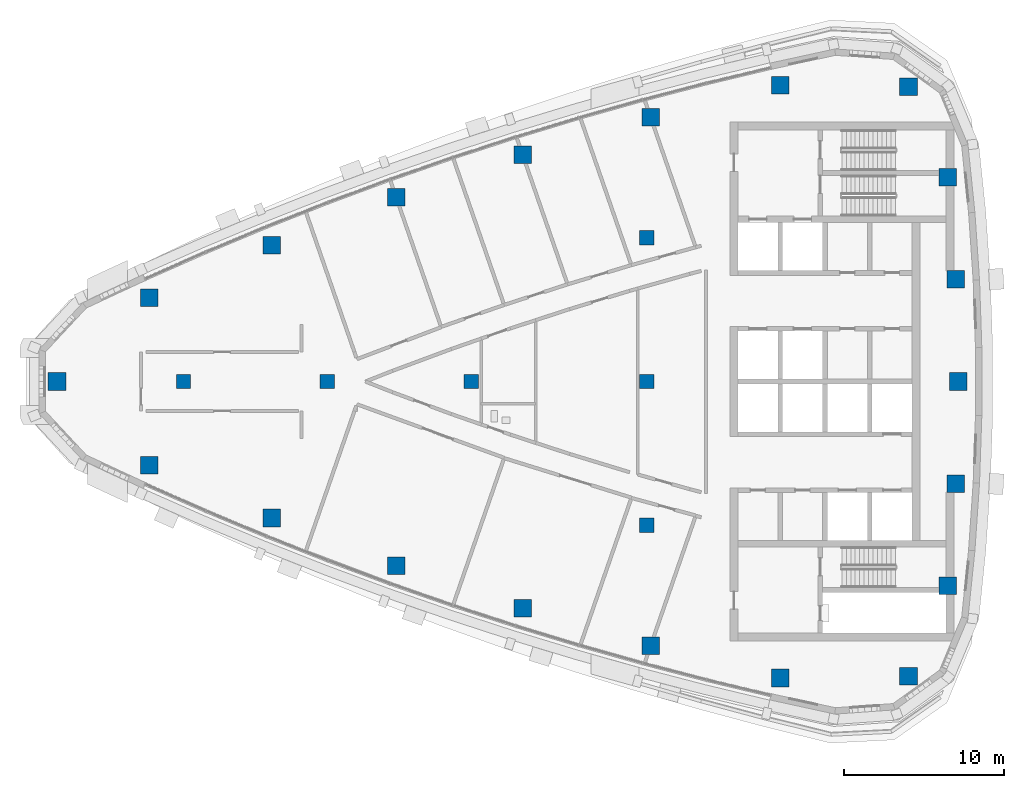
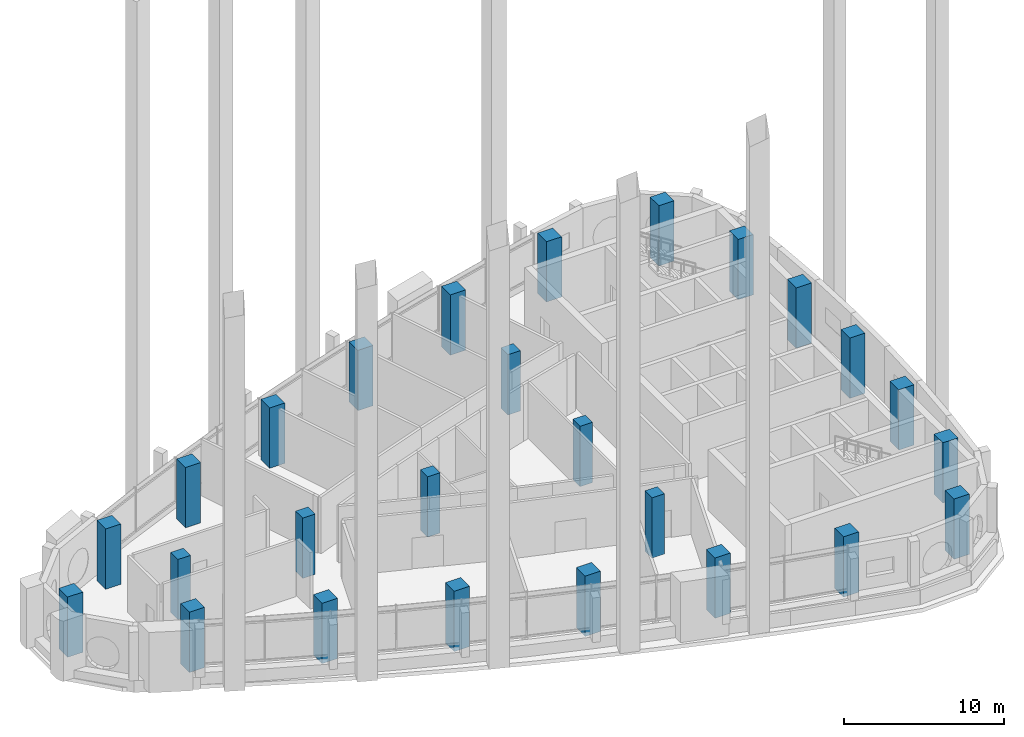
# One storey, part 1 of 15: 26 columns.
"""IFC4 building model written with IfcOpenShell, lengths in metres."""

from ifc_helpers import new_model, si_unit, direction, frame, origin, origin_2d, place, context, subcontext, project, spatial, rectangle, extrude, material, material_profile, profile_set, type_object, element, save


model = new_model("IFC4")

# Units and contexts
model_context = context("Model", 3, precision=1e-05, world=origin(), true_north=direction((0.0, 1.0)))
body_context = subcontext(model_context, "Body", "Model", "MODEL_VIEW")
ifc_project = project(units=[si_unit("LENGTHUNIT", "METRE"), si_unit("AREAUNIT", "SQUARE_METRE"), si_unit("VOLUMEUNIT", "CUBIC_METRE"), si_unit("PLANEANGLEUNIT", "RADIAN"), si_unit("MASSUNIT", "GRAM", prefix="KILO")], contexts=[model_context])

# Site, building, storey
site_placement = place(None, origin())
site = spatial("IfcSite", under=ifc_project, at=site_placement, CompositionType="ELEMENT")
building_placement = place(site_placement, origin())
building = spatial("IfcBuilding", under=site, at=building_placement, Name="Ostrand Prow Hotel Tower", CompositionType="ELEMENT")
storey_placement = place(building_placement, frame((0.0, 0.0, 263.300048828125)))
storey = spatial("IfcBuildingStorey", under=building, at=storey_placement, Name="L66", CompositionType="ELEMENT", Elevation=263.300048828125)

# Columns
ifc_material_1 = material(Name="Concrete C50/60", Category="concrete")
ifc_material_profile_1 = material_profile(ifc_material_1, rectangle(XDim=0.89990234375, YDim=0.89990234375, at=origin_2d()), Name="RC 900x900")
ifc_profile_set_1 = profile_set([ifc_material_profile_1], Name="Concrete C50/60")
column_type_1 = type_object("IfcColumnType", Name="Interior column 900x900 C50/60", PredefinedType="COLUMN", material=ifc_profile_set_1)
for number, where, z_axis, x_axis, name in (
    (1, (16.0, 0.0, 0.0), (0.0, 0.0, 1.0), (1.0, 0.0, 0.0), "Interior column 16C0"),
    (2, (25.0, 0.0, 0.0), (0.0, 0.0, 1.0), (1.0, 0.0, 0.0), "Interior column 25C0"),
    (3, (34.0, 0.0, 0.0), (0.0, 0.0, 1.0), (1.0, 0.0, 0.0), "Interior column 34C0"),
    (4, (45.0, -9.0, 0.0), (0.0, 0.0, 1.0), (1.0, 0.0, 0.0), "Interior column 45S9"),
    (5, (45.0, 0.0, 0.0), (0.0, 0.0, 1.0), (1.0, 0.0, 0.0), "Interior column 45C0"),
    (6, (45.0, 9.0, 0.0), (0.0, 0.0, 1.0), (1.0, 0.0, 0.0), "Interior column 45N9"),
):
    element("IfcColumn", number, at=place(storey_placement, frame(where, z_axis=z_axis, x_axis=x_axis)), inside=storey, type_object=column_type_1, Name=name, PredefinedType="COLUMN", context=body_context, shape_type="SweptSolid", body=[
        extrude(rectangle(XDim=0.89990234375, YDim=0.89990234375, at=origin_2d()), origin(), (0.0, 0.0, 1.0), 4.599853515625),
    ])
ifc_material_2 = material(Name="Concrete C50/60", Category="concrete")
ifc_material_profile_2 = material_profile(ifc_material_2, rectangle(XDim=1.10009765625, YDim=1.10009765625, at=origin_2d()), Name="RC 1100x1100")
ifc_profile_set_2 = profile_set([ifc_material_profile_2], Name="Concrete C50/60")
column_type_2 = type_object("IfcColumnType", Name="Stone-faced mega column 1100x1100 C50/60", PredefinedType="COLUMN", material=ifc_profile_set_2)
for number, where, z_axis, x_axis, name in (
    (7, (8.082763671875, 0.0, 0.0), (0.0, 0.0, 1.0), (1.0, 0.0, 0.0), "Mega column P"),
    (8, (13.846435546875, -5.23681640625, 0.0), (0.0, 0.0, 1.0), (1.0, 0.0, 0.0), "Mega column S1"),
    (9, (21.51416015625, -8.5400390625, 0.0), (0.0, 0.0, 1.0), (1.0, 0.0, 0.0), "Mega column S2"),
    (10, (29.31005859375, -11.528076171875, 0.0), (0.0, 0.0, 1.0), (1.0, 0.0, 0.0), "Mega column S3"),
    (11, (37.22119140625, -14.19580078125, 0.0), (0.0, 0.0, 1.0), (1.0, 0.0, 0.0), "Mega column S4"),
    (12, (45.234619140625, -16.53857421875, 0.0), (0.0, 0.0, 1.0), (1.0, 0.0, 0.0), "Mega column S5"),
    (13, (53.3369140625, -18.552978515625, 0.0), (0.0, 0.0, 1.0), (1.0, 0.0, 0.0), "Mega column S6"),
    (14, (61.374267578125, -18.439697265625, 0.0), (0.0, 0.0, 1.0), (1.0, 0.0, 0.0), "Mega column SE"),
    (15, (63.831787109375, -12.7890625, 0.0), (0.0, 0.0, 1.0), (1.0, 0.0, 0.0), "Mega column B1"),
    (16, (64.332763671875, -6.4033203125, 0.0), (0.0, 0.0, 1.0), (1.0, 0.0, 0.0), "Mega column B2"),
    (17, (64.5, 0.0, 0.0), (0.0, 0.0, 1.0), (1.0, 0.0, 0.0), "Mega column B3"),
    (18, (64.332763671875, 6.4033203125, 0.0), (0.0, 0.0, 1.0), (1.0, 0.0, 0.0), "Mega column B4"),
    (19, (63.831787109375, 12.7890625, 0.0), (0.0, 0.0, 1.0), (1.0, 0.0, 0.0), "Mega column B5"),
    (20, (61.374267578125, 18.439697265625, 0.0), (0.0, 0.0, 1.0), (1.0, 0.0, 0.0), "Mega column NE"),
    (21, (53.3369140625, 18.552978515625, 0.0), (0.0, 0.0, 1.0), (1.0, 0.0, 0.0), "Mega column N1"),
    (22, (45.234619140625, 16.53857421875, 0.0), (0.0, 0.0, 1.0), (1.0, 0.0, 0.0), "Mega column N2"),
    (23, (37.22119140625, 14.19580078125, 0.0), (0.0, 0.0, 1.0), (1.0, 0.0, 0.0), "Mega column N3"),
    (24, (29.31005859375, 11.528076171875, 0.0), (0.0, 0.0, 1.0), (1.0, 0.0, 0.0), "Mega column N4"),
    (25, (21.51416015625, 8.5400390625, 0.0), (0.0, 0.0, 1.0), (1.0, 0.0, 0.0), "Mega column N5"),
    (26, (13.846435546875, 5.23681640625, 0.0), (0.0, 0.0, 1.0), (1.0, 0.0, 0.0), "Mega column N6"),
):
    element("IfcColumn", number, at=place(storey_placement, frame(where, z_axis=z_axis, x_axis=x_axis)), inside=storey, type_object=column_type_2, Name=name, PredefinedType="COLUMN", context=body_context, shape_type="SweptSolid", body=[
        extrude(rectangle(XDim=1.10009765625, YDim=1.10009765625, at=origin_2d()), origin(), (0.0, 0.0, 1.0), 4.599853515625),
    ])

save(model, "model.ifc")
